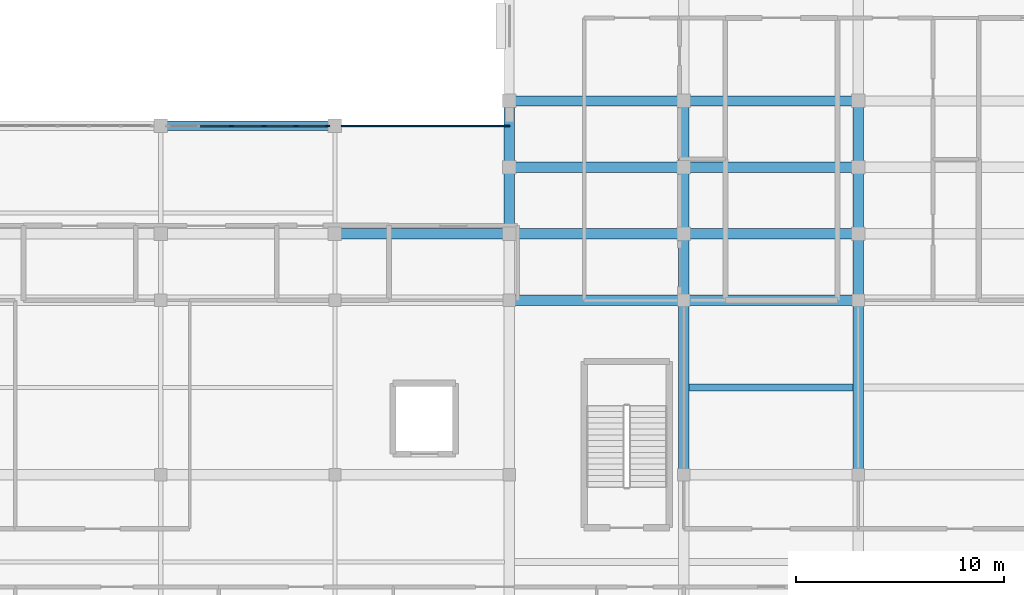
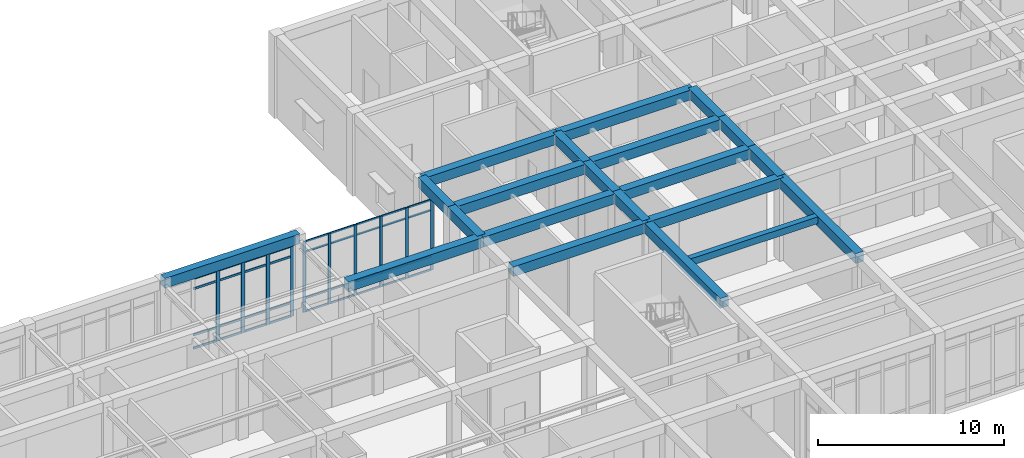
# One storey, part 30 of 89: 46 members, 21 beams, 2 elements without a shape of their own.
"""IFC4 building model written with IfcOpenShell, lengths in metres."""

import ifcopenshell
import ifcopenshell.guid

model = None  # the IFC model being written
_history = None  # IfcOwnerHistory: only IFC2X3 demands one
_inside = {}  # id of a spatial element -> (the spatial element, [elements in it])
_under = {}  # id of a project, library or spatial element -> (it, [spatial elements below it])
_declared = {}  # id of a project -> (the project, [libraries it declares])
_typed = {}  # id of a type object -> (the type object, [elements of that type])
_made_of = {}  # id of a material, layer set ... -> (it, [elements and type objects made of it])


def new_model(schema):
    """Start an empty IFC model of exactly this schema.

    Asked for "IFC4X3", IfcOpenShell would pick the latest addendum, in which some entities
    have other attributes; the version numbers below select the first issue.
    IFC2X3 requires an IfcOwnerHistory on every rooted entity: one is made here for all.
    """
    global model, _history
    if schema == "IFC4X3":
        model = ifcopenshell.file(schema_version=(4, 3, 0, 0))
    else:
        model = ifcopenshell.file(schema=schema)
    _inside.clear()
    _under.clear()
    _declared.clear()
    _typed.clear()
    _made_of.clear()
    _history = None
    if model.schema == "IFC2X3":
        org = make("IfcOrganization", Name="unknown")
        user = make(
            "IfcPersonAndOrganization",
            ThePerson=make("IfcPerson", FamilyName="unknown"),
            TheOrganization=org,
        )
        app = make(
            "IfcApplication",
            ApplicationDeveloper=org,
            Version="unknown",
            ApplicationFullName="unknown",
            ApplicationIdentifier="unknown",
        )
        _history = make(
            "IfcOwnerHistory",
            OwningUser=user,
            OwningApplication=app,
            ChangeAction="ADDED",
            CreationDate=0,
        )
    return model


def make(cls, **values):
    """One entity of the class cls with the attributes given. An attribute that is None is left unset."""
    return model.create_entity(
        cls, **{name: value for name, value in values.items() if value is not None}
    )


def rooted(cls, **values):
    """An entity with a GlobalId (a new one), such as an element, a storey or a relation."""
    return make(cls, GlobalId=ifcopenshell.guid.new(), OwnerHistory=_history, **values)


def si_unit(unit_type, name, prefix=None):
    """IfcSIUnit, for example si_unit("LENGTHUNIT", "METRE", prefix="MILLI")."""
    return make("IfcSIUnit", UnitType=unit_type, Prefix=prefix, Name=name)


def assignment(units):
    """IfcUnitAssignment: the units of a project."""
    return None if units is None else make("IfcUnitAssignment", Units=units)


def point(xyz):
    """IfcCartesianPoint."""
    return None if xyz is None else make("IfcCartesianPoint", Coordinates=xyz)


def direction(xyz):
    """IfcDirection."""
    return None if xyz is None else make("IfcDirection", DirectionRatios=xyz)


def frame(location, z_axis=None, x_axis=None):
    """IfcAxis2Placement3D, a coordinate frame: its origin and axes. An axis left out is left unset."""
    return make(
        "IfcAxis2Placement3D",
        Location=point(location),
        Axis=direction(z_axis),
        RefDirection=direction(x_axis),
    )


def frame_2d(location, x_axis=None):
    """IfcAxis2Placement2D, a coordinate frame in the plane: its origin and x axis."""
    return make(
        "IfcAxis2Placement2D", Location=point(location), RefDirection=direction(x_axis)
    )


def origin():
    """The frame at (0, 0, 0) with its axes left unset."""
    return frame((0.0, 0.0, 0.0))


def origin_2d():
    """The frame at (0, 0) in the plane with its x axis left unset."""
    return frame_2d((0.0, 0.0))


def place(relative_to, where):
    """IfcLocalPlacement: puts the frame where relative to a parent placement (None: the world)."""
    return make(
        "IfcLocalPlacement", PlacementRelTo=relative_to, RelativePlacement=where
    )


def context(
    kind, dimensions, precision=None, world=None, true_north=None, identifier=None
):
    """IfcGeometricRepresentationContext, for example the 3D "Model" context."""
    return make(
        "IfcGeometricRepresentationContext",
        ContextIdentifier=identifier,
        ContextType=kind,
        CoordinateSpaceDimension=dimensions,
        Precision=precision,
        WorldCoordinateSystem=world,
        TrueNorth=true_north,
    )


def subcontext(parent, identifier, kind, view, scale=None):
    """IfcGeometricRepresentationSubContext, for example "Body" below "Model"."""
    return make(
        "IfcGeometricRepresentationSubContext",
        ContextIdentifier=identifier,
        ContextType=kind,
        ParentContext=parent,
        TargetScale=scale,
        TargetView=view,
    )


def project(units=None, contexts=None):
    """IfcProject with its units and contexts."""
    return rooted(
        "IfcProject",
        Name="project",
        RepresentationContexts=contexts,
        UnitsInContext=assignment(units),
    )


def spatial(cls, under=None, at=None, **own):
    """A site, building, storey or space (cls), placed at a placement, below another one or the project."""
    s = rooted(cls, ObjectPlacement=at, **own)
    if under is not None:
        _under.setdefault(under.id(), (under, []))[1].append(s)
    return s


def profile(cls, at=None, kind="AREA", **sizes):
    """A parametric profile (cls). Its sizes go by their IFC names, for example OverallWidth=200.0."""
    return make(cls, ProfileType=kind, Position=at, **sizes)


def rectangle(**sizes):
    """IfcRectangleProfileDef."""
    return profile("IfcRectangleProfileDef", **sizes)


def extrude(swept, where, along, depth):
    """IfcExtrudedAreaSolid: the profile swept, set in the frame where, extruded along a direction by depth."""
    return make(
        "IfcExtrudedAreaSolid",
        SweptArea=swept,
        Position=where,
        ExtrudedDirection=direction(along),
        Depth=depth,
    )


def shape(context_of_items, identifier, shape_type, items):
    """IfcShapeRepresentation: the items that make up one representation, for example the "Body"."""
    return make(
        "IfcShapeRepresentation",
        ContextOfItems=context_of_items,
        RepresentationIdentifier=identifier,
        RepresentationType=shape_type,
        Items=items,
    )


def material(Name=None, Category=None):
    """IfcMaterial."""
    return make("IfcMaterial", Name=Name, Category=Category)


def material_profile(
    of_material, cross_section, Name=None, Category=None, Priority=None
):
    """IfcMaterialProfile: a cross section and its material."""
    return make(
        "IfcMaterialProfile",
        Name=Name,
        Material=of_material,
        Profile=cross_section,
        Priority=Priority,
        Category=Category,
    )


def profile_set(profiles, Name=None, composite=None):
    """IfcMaterialProfileSet."""
    return make(
        "IfcMaterialProfileSet",
        Name=Name,
        MaterialProfiles=profiles,
        CompositeProfile=composite,
    )


def made_of(thing, what):
    """Note that an element or type object is made of a material, layer set ...; save() writes the relation."""
    if what is not None:
        _made_of.setdefault(what.id(), (what, []))[1].append(thing)
    return thing


def type_object(cls, material=None, **own):
    """A type object (cls), such as IfcWallType, which elements share."""
    return made_of(rooted(cls, **own), material)


def element(
    cls,
    number,
    at=None,
    inside=None,
    cuts=None,
    type_object=None,
    material=None,
    context=None,
    identifier="Body",
    shape_type=None,
    held_by="IfcProductDefinitionShape",
    body=None,
    shapes=None,
    **own,
):
    """One element of the class cls, such as IfcWall. Its Tag is "e" and its number.

    at: its placement. inside: the storey or other place that contains it. cuts: it is an
    opening in that element (IfcRelVoidsElement). A single representation is given by context,
    identifier, shape_type and body (its items); several are given by shapes. held_by: the class
    of the entity that holds the representations. save() writes the other relations.
    """
    e = rooted(cls, Tag="e%d" % number, ObjectPlacement=at, **own)
    if body is not None:
        shapes = [shape(context, identifier, shape_type, body)]
    if shapes is not None:
        e.Representation = make(held_by, Representations=shapes)
    if inside is not None:
        _inside.setdefault(inside.id(), (inside, []))[1].append(e)
    if cuts is not None:
        rooted(
            "IfcRelVoidsElement", RelatingBuildingElement=cuts, RelatedOpeningElement=e
        )
    if type_object is not None:
        _typed.setdefault(type_object.id(), (type_object, []))[1].append(e)
    return made_of(e, material)


def aggregate(whole, parts):
    """IfcRelAggregates: a whole, such as a stair, and the parts it consists of."""
    return rooted("IfcRelAggregates", RelatingObject=whole, RelatedObjects=parts)


def save(model, path):
    """Write the relations noted so far, then the file.

    IfcRelAggregates (storeys below a building ...), IfcRelContainedInSpatialStructure (elements
    in a storey), IfcRelDefinesByType, IfcRelAssociatesMaterial and IfcRelDeclares: one each for
    every whole, place, type object, material and project.
    """
    for whole, parts in _under.values():
        aggregate(whole, parts)
    for where, things in _inside.values():
        rooted(
            "IfcRelContainedInSpatialStructure",
            RelatedElements=things,
            RelatingStructure=where,
        )
    for kind, things in _typed.values():
        rooted("IfcRelDefinesByType", RelatedObjects=things, RelatingType=kind)
    for what, things in _made_of.values():
        rooted("IfcRelAssociatesMaterial", RelatedObjects=things, RelatingMaterial=what)
    for by, libraries in _declared.values():
        rooted("IfcRelDeclares", RelatingContext=by, RelatedDefinitions=libraries)
    model.write(path)


model = new_model("IFC4")

# Units and contexts
model_context = context("Model", 3, precision=1e-05, world=origin(), true_north=direction((0.0, 1.0)))
body_context = subcontext(model_context, "Body", "Model", "MODEL_VIEW")
ifc_project = project(units=[si_unit("LENGTHUNIT", "METRE"), si_unit("AREAUNIT", "SQUARE_METRE"), si_unit("VOLUMEUNIT", "CUBIC_METRE"), si_unit("PLANEANGLEUNIT", "RADIAN"), si_unit("MASSUNIT", "GRAM", prefix="KILO")], contexts=[model_context])

# Site, building, storey
site_placement = place(None, origin())
site = spatial("IfcSite", under=ifc_project, at=site_placement, CompositionType="ELEMENT")
building_placement = place(site_placement, origin())
building = spatial("IfcBuilding", under=site, at=building_placement, Name="Varncliffe General Hospital", CompositionType="ELEMENT")
storey_placement = place(building_placement, frame((0.0, 0.0, 10.800048828125)))
storey = spatial("IfcBuildingStorey", under=building, at=storey_placement, Name="L02", CompositionType="ELEMENT", Elevation=10.800048828125)

# Beams
ifc_material_1 = material(Name="Concrete C35/45 (CSA A23.1 35 MPa)", Category="concrete")
ifc_material_profile_1 = material_profile(ifc_material_1, rectangle(XDim=0.5, YDim=0.64990234375, at=origin_2d()), Name="RC 500x650")
ifc_profile_set_1 = profile_set([ifc_material_profile_1], Name="Concrete C35/45 (CSA A23.1 35 MPa)")
beam_type_1 = type_object("IfcBeamType", Name="Beam B29 (Int RC 500x650)", PredefinedType="BEAM", material=ifc_profile_set_1)
beam_1_placement = place(storey_placement, frame((109.199951171875, 99.60009765625, 5.074951171875), z_axis=(1.0, 0.0, 0.0), x_axis=(0.0, 1.0, 0.0)))
element("IfcBeam", 1, at=beam_1_placement, inside=storey, type_object=beam_type_1, Name="L02 Primary Beam B29-144", PredefinedType="BEAM", context=body_context, shape_type="SweptSolid", body=[
    extrude(rectangle(XDim=0.5, YDim=0.64990234375, at=origin_2d()), origin(), (0.0, 0.0, 1.0), 8.400146484375),
])
for number, where, z_axis, x_axis, name in (
    (2, (117.60009765625, 99.60009765625, 5.074951171875), (1.0, 0.0, 0.0), (0.0, 1.0, 0.0), "L02 Primary Beam B29-145"),
    (3, (100.800048828125, 102.800048828125, 5.074951171875), (1.0, 0.0, 0.0), (0.0, 1.0, 0.0), "L02 Primary Beam B29-164"),
):
    element("IfcBeam", number, at=place(storey_placement, frame(where, z_axis=z_axis, x_axis=x_axis)), inside=storey, type_object=beam_type_1, Name=name, PredefinedType="BEAM", context=body_context, shape_type="SweptSolid", body=[
        extrude(rectangle(XDim=0.5, YDim=0.64990234375, at=origin_2d()), origin(), (0.0, 0.0, 1.0), 8.39990234375),
    ])
beam_2_placement = place(storey_placement, frame((109.199951171875, 102.800048828125, 5.074951171875), z_axis=(1.0, 0.0, 0.0), x_axis=(0.0, 1.0, 0.0)))
element("IfcBeam", 4, at=beam_2_placement, inside=storey, type_object=beam_type_1, Name="L02 Primary Beam B29-165", PredefinedType="BEAM", context=body_context, shape_type="SweptSolid", body=[
    extrude(rectangle(XDim=0.5, YDim=0.64990234375, at=origin_2d()), origin(), (0.0, 0.0, 1.0), 8.400146484375),
])
beam_3_placement = place(storey_placement, frame((117.60009765625, 102.800048828125, 5.074951171875), z_axis=(1.0, 0.0, 0.0), x_axis=(0.0, 1.0, 0.0)))
element("IfcBeam", 5, at=beam_3_placement, inside=storey, type_object=beam_type_1, Name="L02 Primary Beam B29-166", PredefinedType="BEAM", context=body_context, shape_type="SweptSolid", body=[
    extrude(rectangle(XDim=0.5, YDim=0.64990234375, at=origin_2d()), origin(), (0.0, 0.0, 1.0), 8.39990234375),
])
beam_4_placement = place(storey_placement, frame((109.199951171875, 106.0, 5.074951171875), z_axis=(1.0, 0.0, 0.0), x_axis=(0.0, 1.0, 0.0)))
element("IfcBeam", 6, at=beam_4_placement, inside=storey, type_object=beam_type_1, Name="L02 Primary Beam B29-181", PredefinedType="BEAM", context=body_context, shape_type="SweptSolid", body=[
    extrude(rectangle(XDim=0.5, YDim=0.64990234375, at=origin_2d()), origin(), (0.0, 0.0, 1.0), 8.400146484375),
])
beam_5_placement = place(storey_placement, frame((117.60009765625, 106.0, 5.074951171875), z_axis=(1.0, 0.0, 0.0), x_axis=(0.0, 1.0, 0.0)))
element("IfcBeam", 7, at=beam_5_placement, inside=storey, type_object=beam_type_1, Name="L02 Primary Beam B29-182", PredefinedType="BEAM", context=body_context, shape_type="SweptSolid", body=[
    extrude(rectangle(XDim=0.5, YDim=0.64990234375, at=origin_2d()), origin(), (0.0, 0.0, 1.0), 8.39990234375),
])
beam_6_placement = place(storey_placement, frame((109.199951171875, 109.199951171875, 5.074951171875), z_axis=(1.0, 0.0, 0.0), x_axis=(0.0, 1.0, 0.0)))
element("IfcBeam", 8, at=beam_6_placement, inside=storey, type_object=beam_type_1, Name="L02 Primary Beam B29-200", PredefinedType="BEAM", context=body_context, shape_type="SweptSolid", body=[
    extrude(rectangle(XDim=0.5, YDim=0.64990234375, at=origin_2d()), origin(), (0.0, 0.0, 1.0), 8.400146484375),
])
beam_7_placement = place(storey_placement, frame((117.60009765625, 109.199951171875, 5.074951171875), z_axis=(1.0, 0.0, 0.0), x_axis=(0.0, 1.0, 0.0)))
element("IfcBeam", 9, at=beam_7_placement, inside=storey, type_object=beam_type_1, Name="L02 Primary Beam B29-201", PredefinedType="BEAM", context=body_context, shape_type="SweptSolid", body=[
    extrude(rectangle(XDim=0.5, YDim=0.64990234375, at=origin_2d()), origin(), (0.0, 0.0, 1.0), 8.39990234375),
])
for number, where, z_axis, x_axis, name in (
    (10, (109.199951171875, 102.800048828125, 5.074951171875), (0.0, 1.0, 0.0), (-1.0, 0.0, 0.0), "L02 Primary Beam B29-380"),
    (11, (109.199951171875, 106.0, 5.074951171875), (0.0, 1.0, 0.0), (-1.0, 0.0, 0.0), "L02 Primary Beam B29-381"),
):
    element("IfcBeam", number, at=place(storey_placement, frame(where, z_axis=z_axis, x_axis=x_axis)), inside=storey, type_object=beam_type_1, Name=name, PredefinedType="BEAM", context=body_context, shape_type="SweptSolid", body=[
        extrude(rectangle(XDim=0.5, YDim=0.64990234375, at=origin_2d()), origin(), (0.0, 0.0, 1.0), 3.199951171875),
    ])
beam_8_placement = place(storey_placement, frame((117.60009765625, 91.199951171875, 5.074951171875), z_axis=(0.0, 1.0, 0.0), x_axis=(-1.0, 0.0, 0.0)))
element("IfcBeam", 12, at=beam_8_placement, inside=storey, type_object=beam_type_1, Name="L02 Primary Beam B29-396", PredefinedType="BEAM", context=body_context, shape_type="SweptSolid", body=[
    extrude(rectangle(XDim=0.5, YDim=0.64990234375, at=origin_2d()), origin(), (0.0, 0.0, 1.0), 8.400146484375),
])
for number, where, z_axis, x_axis, name in (
    (13, (117.60009765625, 99.60009765625, 5.074951171875), (0.0, 1.0, 0.0), (-1.0, 0.0, 0.0), "L02 Primary Beam B29-397"),
    (14, (117.60009765625, 102.800048828125, 5.074951171875), (0.0, 1.0, 0.0), (-1.0, 0.0, 0.0), "L02 Primary Beam B29-398"),
    (15, (117.60009765625, 106.0, 5.074951171875), (0.0, 1.0, 0.0), (-1.0, 0.0, 0.0), "L02 Primary Beam B29-399"),
):
    element("IfcBeam", number, at=place(storey_placement, frame(where, z_axis=z_axis, x_axis=x_axis)), inside=storey, type_object=beam_type_1, Name=name, PredefinedType="BEAM", context=body_context, shape_type="SweptSolid", body=[
        extrude(rectangle(XDim=0.5, YDim=0.64990234375, at=origin_2d()), origin(), (0.0, 0.0, 1.0), 3.199951171875),
    ])
beam_9_placement = place(storey_placement, frame((126.0, 91.199951171875, 5.074951171875), z_axis=(0.0, 1.0, 0.0), x_axis=(-1.0, 0.0, 0.0)))
element("IfcBeam", 16, at=beam_9_placement, inside=storey, type_object=beam_type_1, Name="L02 Primary Beam B29-405", PredefinedType="BEAM", context=body_context, shape_type="SweptSolid", body=[
    extrude(rectangle(XDim=0.5, YDim=0.64990234375, at=origin_2d()), origin(), (0.0, 0.0, 1.0), 8.400146484375),
])
for number, where, z_axis, x_axis, name in (
    (17, (126.0, 99.60009765625, 5.074951171875), (0.0, 1.0, 0.0), (-1.0, 0.0, 0.0), "L02 Primary Beam B29-406"),
    (18, (126.0, 102.800048828125, 5.074951171875), (0.0, 1.0, 0.0), (-1.0, 0.0, 0.0), "L02 Primary Beam B29-407"),
    (19, (126.0, 106.0, 5.074951171875), (0.0, 1.0, 0.0), (-1.0, 0.0, 0.0), "L02 Primary Beam B29-408"),
):
    element("IfcBeam", number, at=place(storey_placement, frame(where, z_axis=z_axis, x_axis=x_axis)), inside=storey, type_object=beam_type_1, Name=name, PredefinedType="BEAM", context=body_context, shape_type="SweptSolid", body=[
        extrude(rectangle(XDim=0.5, YDim=0.64990234375, at=origin_2d()), origin(), (0.0, 0.0, 1.0), 3.199951171875),
    ])

# Curtain wall, members
ifc_material_2 = material(Name="Triple low-E argon insulated vision glazing", Category="glass")
curtain_wall_type_1 = type_object("IfcCurtainWallType", Name="Unitised Glazed Curtain Wall CW65 (7997x4640)", PredefinedType="USERDEFINED", material=ifc_material_2)
curtain_wall_1_placement = place(storey_placement, origin())
curtain_wall_1 = element("IfcCurtainWall", 20, at=curtain_wall_1_placement, inside=storey, type_object=curtain_wall_type_1, Name="L02 Glazed Curtain Wall CW65-115", ObjectType="GLAZED CURTAIN WALL", PredefinedType="USERDEFINED")
ifc_material_3 = material(Name="Dark bronze thermally broken aluminium framing", Category="aluminium")
ifc_material_profile_2 = material_profile(ifc_material_3, rectangle(XDim=0.074951171875, YDim=0.179931640625, at=origin_2d()), Name="ALU 75x180")
ifc_profile_set_2 = profile_set([ifc_material_profile_2], Name="Dark bronze thermally broken aluminium framing")
member_type_1 = type_object("IfcMemberType", Name="Curtain Wall Mullion CM44 (ALU 75x180)", PredefinedType="MULLION", material=ifc_profile_set_2)
member_1_placement = place(storey_placement, frame((101.200439453125, 108.0, 0.0), z_axis=(0.0, 0.0, 1.0), x_axis=(0.0, 1.0, 0.0)))
member_1 = element("IfcMember", 21, at=member_1_placement, type_object=member_type_1, Name="CW65 mullion 1", PredefinedType="MULLION", context=body_context, shape_type="SweptSolid", body=[
    extrude(rectangle(XDim=0.074951171875, YDim=0.179931640625, at=origin_2d()), origin(), (0.0, 0.0, 1.0), 4.639892578125),
])
member_2_placement = place(storey_placement, frame((102.762451171875, 108.0, 0.0), z_axis=(0.0, 0.0, 1.0), x_axis=(0.0, 1.0, 0.0)))
member_2 = element("IfcMember", 22, at=member_2_placement, type_object=member_type_1, Name="CW65 mullion 2", PredefinedType="MULLION", context=body_context, shape_type="SweptSolid", body=[
    extrude(rectangle(XDim=0.074951171875, YDim=0.179931640625, at=origin_2d()), origin(), (0.0, 0.0, 1.0), 4.639892578125),
])
member_3_placement = place(storey_placement, frame((104.36181640625, 108.0, 0.0), z_axis=(0.0, 0.0, 1.0), x_axis=(0.0, 1.0, 0.0)))
member_3 = element("IfcMember", 23, at=member_3_placement, type_object=member_type_1, Name="CW65 mullion 3", PredefinedType="MULLION", context=body_context, shape_type="SweptSolid", body=[
    extrude(rectangle(XDim=0.074951171875, YDim=0.179931640625, at=origin_2d()), origin(), (0.0, 0.0, 1.0), 4.639892578125),
])
member_4_placement = place(storey_placement, frame((105.961181640625, 108.0, 0.0), z_axis=(0.0, 0.0, 1.0), x_axis=(0.0, 1.0, 0.0)))
member_4 = element("IfcMember", 24, at=member_4_placement, type_object=member_type_1, Name="CW65 mullion 4", PredefinedType="MULLION", context=body_context, shape_type="SweptSolid", body=[
    extrude(rectangle(XDim=0.074951171875, YDim=0.179931640625, at=origin_2d()), origin(), (0.0, 0.0, 1.0), 4.639892578125),
])
member_5_placement = place(storey_placement, frame((107.560546875, 108.0, 0.0), z_axis=(0.0, 0.0, 1.0), x_axis=(0.0, 1.0, 0.0)))
member_5 = element("IfcMember", 25, at=member_5_placement, type_object=member_type_1, Name="CW65 mullion 5", PredefinedType="MULLION", context=body_context, shape_type="SweptSolid", body=[
    extrude(rectangle(XDim=0.074951171875, YDim=0.179931640625, at=origin_2d()), origin(), (0.0, 0.0, 1.0), 4.639892578125),
])
member_6_placement = place(storey_placement, frame((109.12255859375, 108.0, 0.0), z_axis=(0.0, 0.0, 1.0), x_axis=(0.0, 1.0, 0.0)))
member_6 = element("IfcMember", 26, at=member_6_placement, type_object=member_type_1, Name="CW65 mullion 6", PredefinedType="MULLION", context=body_context, shape_type="SweptSolid", body=[
    extrude(rectangle(XDim=0.074951171875, YDim=0.179931640625, at=origin_2d()), origin(), (0.0, 0.0, 1.0), 4.639892578125),
])

curtain_wall_type_2 = type_object("IfcCurtainWallType", Name="Unitised Glazed Curtain Wall CW66 (7754x4640)", PredefinedType="USERDEFINED", material=ifc_material_2)
curtain_wall_2_placement = place(storey_placement, origin())
curtain_wall_2 = element("IfcCurtainWall", 27, at=curtain_wall_2_placement, inside=storey, type_object=curtain_wall_type_2, Name="L02 Glazed Curtain Wall CW66-114", ObjectType="GLAZED CURTAIN WALL", PredefinedType="USERDEFINED")
ifc_material_profile_3 = material_profile(ifc_material_3, rectangle(XDim=0.074951171875, YDim=0.219970703125, at=origin_2d()), Name="ALU 75x220")
ifc_profile_set_3 = profile_set([ifc_material_profile_3], Name="Dark bronze thermally broken aluminium framing")
member_type_2 = type_object("IfcMemberType", Name="Curtain Wall Mullion CM74 (ALU 75x220)", PredefinedType="MULLION", material=ifc_profile_set_3)
member_7_placement = place(storey_placement, frame((95.82470703125, 108.0, 0.0), z_axis=(0.0, 0.0, 1.0), x_axis=(0.0, 1.0, 0.0)))
member_7 = element("IfcMember", 28, at=member_7_placement, type_object=member_type_2, Name="CW66 mullion 3", PredefinedType="MULLION", context=body_context, shape_type="SweptSolid", body=[
    extrude(rectangle(XDim=0.074951171875, YDim=0.219970703125, at=origin_2d()), origin(), (0.0, 0.0, 1.0), 4.639892578125),
])
member_8_placement = place(storey_placement, frame((97.37548828125, 108.0, 0.0), z_axis=(0.0, 0.0, 1.0), x_axis=(0.0, 1.0, 0.0)))
member_8 = element("IfcMember", 29, at=member_8_placement, type_object=member_type_2, Name="CW66 mullion 4", PredefinedType="MULLION", context=body_context, shape_type="SweptSolid", body=[
    extrude(rectangle(XDim=0.074951171875, YDim=0.219970703125, at=origin_2d()), origin(), (0.0, 0.0, 1.0), 4.639892578125),
])
member_9_placement = place(storey_placement, frame((98.92626953125, 108.0, 0.0), z_axis=(0.0, 0.0, 1.0), x_axis=(0.0, 1.0, 0.0)))
member_9 = element("IfcMember", 30, at=member_9_placement, type_object=member_type_2, Name="CW66 mullion 5", PredefinedType="MULLION", context=body_context, shape_type="SweptSolid", body=[
    extrude(rectangle(XDim=0.074951171875, YDim=0.219970703125, at=origin_2d()), origin(), (0.0, 0.0, 1.0), 4.639892578125),
])
member_10_placement = place(storey_placement, frame((100.439453125, 108.0, 0.0), z_axis=(0.0, 0.0, 1.0), x_axis=(0.0, 1.0, 0.0)))
member_10 = element("IfcMember", 31, at=member_10_placement, type_object=member_type_2, Name="CW66 mullion 6", PredefinedType="MULLION", context=body_context, shape_type="SweptSolid", body=[
    extrude(rectangle(XDim=0.074951171875, YDim=0.219970703125, at=origin_2d()), origin(), (0.0, 0.0, 1.0), 4.639892578125),
])

# Member
ifc_material_profile_4 = material_profile(ifc_material_3, rectangle(XDim=0.06005859375, YDim=0.1201171875, at=origin_2d()), Name="ALU 60x120")
ifc_profile_set_4 = profile_set([ifc_material_profile_4], Name="Dark bronze thermally broken aluminium framing")
member_type_3 = type_object("IfcMemberType", Name="Curtain Wall Transom CT14 (ALU 60x120)", PredefinedType="USERDEFINED", material=ifc_profile_set_4)
member_11_placement = place(storey_placement, frame((101.238037109375, 108.0, 0.030029296875), z_axis=(1.0, 0.0, 0.0), x_axis=(0.0, 1.0, 0.0)))
member_11 = element("IfcMember", 32, at=member_11_placement, type_object=member_type_3, Name="CW65 transom 1.1", ObjectType="TRANSOM", PredefinedType="USERDEFINED", context=body_context, shape_type="SweptSolid", body=[
    extrude(rectangle(XDim=0.06005859375, YDim=0.1201171875, at=origin_2d()), origin(), (0.0, 0.0, 1.0), 1.48681640625),
])

member_12_placement = place(storey_placement, frame((101.238037109375, 108.0, 0.89990234375), z_axis=(1.0, 0.0, 0.0), x_axis=(0.0, 1.0, 0.0)))
member_12 = element("IfcMember", 33, at=member_12_placement, type_object=member_type_3, Name="CW65 transom 1.2", ObjectType="TRANSOM", PredefinedType="USERDEFINED", context=body_context, shape_type="SweptSolid", body=[
    extrude(rectangle(XDim=0.06005859375, YDim=0.1201171875, at=origin_2d()), origin(), (0.0, 0.0, 1.0), 1.48681640625),
])

member_13_placement = place(storey_placement, frame((101.238037109375, 108.0, 3.93994140625), z_axis=(1.0, 0.0, 0.0), x_axis=(0.0, 1.0, 0.0)))
member_13 = element("IfcMember", 34, at=member_13_placement, type_object=member_type_3, Name="CW65 transom 1.3", ObjectType="TRANSOM", PredefinedType="USERDEFINED", context=body_context, shape_type="SweptSolid", body=[
    extrude(rectangle(XDim=0.06005859375, YDim=0.1201171875, at=origin_2d()), origin(), (0.0, 0.0, 1.0), 1.48681640625),
])

member_14_placement = place(storey_placement, frame((101.238037109375, 108.0, 4.60986328125), z_axis=(1.0, 0.0, 0.0), x_axis=(0.0, 1.0, 0.0)))
member_14 = element("IfcMember", 35, at=member_14_placement, type_object=member_type_3, Name="CW65 transom 1.4", ObjectType="TRANSOM", PredefinedType="USERDEFINED", context=body_context, shape_type="SweptSolid", body=[
    extrude(rectangle(XDim=0.06005859375, YDim=0.1201171875, at=origin_2d()), origin(), (0.0, 0.0, 1.0), 1.48681640625),
])

member_15_placement = place(storey_placement, frame((102.7998046875, 108.0, 0.030029296875), z_axis=(1.0, 0.0, 0.0), x_axis=(0.0, 1.0, 0.0)))
member_15 = element("IfcMember", 36, at=member_15_placement, type_object=member_type_3, Name="CW65 transom 2.1", ObjectType="TRANSOM", PredefinedType="USERDEFINED", context=body_context, shape_type="SweptSolid", body=[
    extrude(rectangle(XDim=0.06005859375, YDim=0.1201171875, at=origin_2d()), origin(), (0.0, 0.0, 1.0), 1.5244140625),
])

member_16_placement = place(storey_placement, frame((102.7998046875, 108.0, 0.89990234375), z_axis=(1.0, 0.0, 0.0), x_axis=(0.0, 1.0, 0.0)))
member_16 = element("IfcMember", 37, at=member_16_placement, type_object=member_type_3, Name="CW65 transom 2.2", ObjectType="TRANSOM", PredefinedType="USERDEFINED", context=body_context, shape_type="SweptSolid", body=[
    extrude(rectangle(XDim=0.06005859375, YDim=0.1201171875, at=origin_2d()), origin(), (0.0, 0.0, 1.0), 1.5244140625),
])

member_17_placement = place(storey_placement, frame((102.7998046875, 108.0, 3.93994140625), z_axis=(1.0, 0.0, 0.0), x_axis=(0.0, 1.0, 0.0)))
member_17 = element("IfcMember", 38, at=member_17_placement, type_object=member_type_3, Name="CW65 transom 2.3", ObjectType="TRANSOM", PredefinedType="USERDEFINED", context=body_context, shape_type="SweptSolid", body=[
    extrude(rectangle(XDim=0.06005859375, YDim=0.1201171875, at=origin_2d()), origin(), (0.0, 0.0, 1.0), 1.5244140625),
])

member_18_placement = place(storey_placement, frame((102.7998046875, 108.0, 4.60986328125), z_axis=(1.0, 0.0, 0.0), x_axis=(0.0, 1.0, 0.0)))
member_18 = element("IfcMember", 39, at=member_18_placement, type_object=member_type_3, Name="CW65 transom 2.4", ObjectType="TRANSOM", PredefinedType="USERDEFINED", context=body_context, shape_type="SweptSolid", body=[
    extrude(rectangle(XDim=0.06005859375, YDim=0.1201171875, at=origin_2d()), origin(), (0.0, 0.0, 1.0), 1.5244140625),
])

member_19_placement = place(storey_placement, frame((104.3994140625, 108.0, 0.030029296875), z_axis=(1.0, 0.0, 0.0), x_axis=(0.0, 1.0, 0.0)))
member_19 = element("IfcMember", 40, at=member_19_placement, type_object=member_type_3, Name="CW65 transom 3.1", ObjectType="TRANSOM", PredefinedType="USERDEFINED", context=body_context, shape_type="SweptSolid", body=[
    extrude(rectangle(XDim=0.06005859375, YDim=0.1201171875, at=origin_2d()), origin(), (0.0, 0.0, 1.0), 1.524169921875),
])

member_20_placement = place(storey_placement, frame((104.3994140625, 108.0, 0.89990234375), z_axis=(1.0, 0.0, 0.0), x_axis=(0.0, 1.0, 0.0)))
member_20 = element("IfcMember", 41, at=member_20_placement, type_object=member_type_3, Name="CW65 transom 3.2", ObjectType="TRANSOM", PredefinedType="USERDEFINED", context=body_context, shape_type="SweptSolid", body=[
    extrude(rectangle(XDim=0.06005859375, YDim=0.1201171875, at=origin_2d()), origin(), (0.0, 0.0, 1.0), 1.524169921875),
])

member_21_placement = place(storey_placement, frame((104.3994140625, 108.0, 3.93994140625), z_axis=(1.0, 0.0, 0.0), x_axis=(0.0, 1.0, 0.0)))
member_21 = element("IfcMember", 42, at=member_21_placement, type_object=member_type_3, Name="CW65 transom 3.3", ObjectType="TRANSOM", PredefinedType="USERDEFINED", context=body_context, shape_type="SweptSolid", body=[
    extrude(rectangle(XDim=0.06005859375, YDim=0.1201171875, at=origin_2d()), origin(), (0.0, 0.0, 1.0), 1.524169921875),
])

member_22_placement = place(storey_placement, frame((104.3994140625, 108.0, 4.60986328125), z_axis=(1.0, 0.0, 0.0), x_axis=(0.0, 1.0, 0.0)))
member_22 = element("IfcMember", 43, at=member_22_placement, type_object=member_type_3, Name="CW65 transom 3.4", ObjectType="TRANSOM", PredefinedType="USERDEFINED", context=body_context, shape_type="SweptSolid", body=[
    extrude(rectangle(XDim=0.06005859375, YDim=0.1201171875, at=origin_2d()), origin(), (0.0, 0.0, 1.0), 1.524169921875),
])

member_23_placement = place(storey_placement, frame((105.998779296875, 108.0, 0.030029296875), z_axis=(1.0, 0.0, 0.0), x_axis=(0.0, 1.0, 0.0)))
member_23 = element("IfcMember", 44, at=member_23_placement, type_object=member_type_3, Name="CW65 transom 4.1", ObjectType="TRANSOM", PredefinedType="USERDEFINED", context=body_context, shape_type="SweptSolid", body=[
    extrude(rectangle(XDim=0.06005859375, YDim=0.1201171875, at=origin_2d()), origin(), (0.0, 0.0, 1.0), 1.5244140625),
])

member_24_placement = place(storey_placement, frame((105.998779296875, 108.0, 0.89990234375), z_axis=(1.0, 0.0, 0.0), x_axis=(0.0, 1.0, 0.0)))
member_24 = element("IfcMember", 45, at=member_24_placement, type_object=member_type_3, Name="CW65 transom 4.2", ObjectType="TRANSOM", PredefinedType="USERDEFINED", context=body_context, shape_type="SweptSolid", body=[
    extrude(rectangle(XDim=0.06005859375, YDim=0.1201171875, at=origin_2d()), origin(), (0.0, 0.0, 1.0), 1.5244140625),
])

member_25_placement = place(storey_placement, frame((105.998779296875, 108.0, 3.93994140625), z_axis=(1.0, 0.0, 0.0), x_axis=(0.0, 1.0, 0.0)))
member_25 = element("IfcMember", 46, at=member_25_placement, type_object=member_type_3, Name="CW65 transom 4.3", ObjectType="TRANSOM", PredefinedType="USERDEFINED", context=body_context, shape_type="SweptSolid", body=[
    extrude(rectangle(XDim=0.06005859375, YDim=0.1201171875, at=origin_2d()), origin(), (0.0, 0.0, 1.0), 1.5244140625),
])

member_26_placement = place(storey_placement, frame((105.998779296875, 108.0, 4.60986328125), z_axis=(1.0, 0.0, 0.0), x_axis=(0.0, 1.0, 0.0)))
member_26 = element("IfcMember", 47, at=member_26_placement, type_object=member_type_3, Name="CW65 transom 4.4", ObjectType="TRANSOM", PredefinedType="USERDEFINED", context=body_context, shape_type="SweptSolid", body=[
    extrude(rectangle(XDim=0.06005859375, YDim=0.1201171875, at=origin_2d()), origin(), (0.0, 0.0, 1.0), 1.5244140625),
])

member_27_placement = place(storey_placement, frame((107.59814453125, 108.0, 0.030029296875), z_axis=(1.0, 0.0, 0.0), x_axis=(0.0, 1.0, 0.0)))
member_27 = element("IfcMember", 48, at=member_27_placement, type_object=member_type_3, Name="CW65 transom 5.1", ObjectType="TRANSOM", PredefinedType="USERDEFINED", context=body_context, shape_type="SweptSolid", body=[
    extrude(rectangle(XDim=0.06005859375, YDim=0.1201171875, at=origin_2d()), origin(), (0.0, 0.0, 1.0), 1.48681640625),
])

member_28_placement = place(storey_placement, frame((107.59814453125, 108.0, 0.89990234375), z_axis=(1.0, 0.0, 0.0), x_axis=(0.0, 1.0, 0.0)))
member_28 = element("IfcMember", 49, at=member_28_placement, type_object=member_type_3, Name="CW65 transom 5.2", ObjectType="TRANSOM", PredefinedType="USERDEFINED", context=body_context, shape_type="SweptSolid", body=[
    extrude(rectangle(XDim=0.06005859375, YDim=0.1201171875, at=origin_2d()), origin(), (0.0, 0.0, 1.0), 1.48681640625),
])

member_29_placement = place(storey_placement, frame((107.59814453125, 108.0, 3.93994140625), z_axis=(1.0, 0.0, 0.0), x_axis=(0.0, 1.0, 0.0)))
member_29 = element("IfcMember", 50, at=member_29_placement, type_object=member_type_3, Name="CW65 transom 5.3", ObjectType="TRANSOM", PredefinedType="USERDEFINED", context=body_context, shape_type="SweptSolid", body=[
    extrude(rectangle(XDim=0.06005859375, YDim=0.1201171875, at=origin_2d()), origin(), (0.0, 0.0, 1.0), 1.48681640625),
])

member_30_placement = place(storey_placement, frame((107.59814453125, 108.0, 4.60986328125), z_axis=(1.0, 0.0, 0.0), x_axis=(0.0, 1.0, 0.0)))
member_30 = element("IfcMember", 51, at=member_30_placement, type_object=member_type_3, Name="CW65 transom 5.4", ObjectType="TRANSOM", PredefinedType="USERDEFINED", context=body_context, shape_type="SweptSolid", body=[
    extrude(rectangle(XDim=0.06005859375, YDim=0.1201171875, at=origin_2d()), origin(), (0.0, 0.0, 1.0), 1.48681640625),
])

aggregate(curtain_wall_1, [member_1, member_2, member_3, member_4, member_5, member_6, member_11, member_12, member_13, member_14, member_15, member_16, member_17, member_18, member_19, member_20, member_21, member_22, member_23, member_24, member_25, member_26, member_27, member_28, member_29, member_30])

ifc_material_profile_5 = material_profile(ifc_material_3, rectangle(XDim=0.06494140625, YDim=0.139892578125, at=origin_2d()), Name="ALU 65x140")
ifc_profile_set_5 = profile_set([ifc_material_profile_5], Name="Dark bronze thermally broken aluminium framing")
member_type_4 = type_object("IfcMemberType", Name="Curtain Wall Transom CT69 (ALU 65x140)", PredefinedType="USERDEFINED", material=ifc_profile_set_5)
member_31_placement = place(storey_placement, frame((94.311279296875, 108.0, 0.032470703125), z_axis=(1.0, 0.0, 0.0), x_axis=(0.0, 1.0, 0.0)))
member_31 = element("IfcMember", 52, at=member_31_placement, type_object=member_type_4, Name="CW66 transom 2.1", ObjectType="TRANSOM", PredefinedType="USERDEFINED", context=body_context, shape_type="SweptSolid", body=[
    extrude(rectangle(XDim=0.06494140625, YDim=0.139892578125, at=origin_2d()), origin(), (0.0, 0.0, 1.0), 1.475830078125),
])

member_32_placement = place(storey_placement, frame((94.311279296875, 108.0, 0.89990234375), z_axis=(1.0, 0.0, 0.0), x_axis=(0.0, 1.0, 0.0)))
member_32 = element("IfcMember", 53, at=member_32_placement, type_object=member_type_4, Name="CW66 transom 2.2", ObjectType="TRANSOM", PredefinedType="USERDEFINED", context=body_context, shape_type="SweptSolid", body=[
    extrude(rectangle(XDim=0.06494140625, YDim=0.139892578125, at=origin_2d()), origin(), (0.0, 0.0, 1.0), 1.475830078125),
])

member_33_placement = place(storey_placement, frame((94.311279296875, 108.0, 3.93994140625), z_axis=(1.0, 0.0, 0.0), x_axis=(0.0, 1.0, 0.0)))
member_33 = element("IfcMember", 54, at=member_33_placement, type_object=member_type_4, Name="CW66 transom 2.3", ObjectType="TRANSOM", PredefinedType="USERDEFINED", context=body_context, shape_type="SweptSolid", body=[
    extrude(rectangle(XDim=0.06494140625, YDim=0.139892578125, at=origin_2d()), origin(), (0.0, 0.0, 1.0), 1.475830078125),
])

member_34_placement = place(storey_placement, frame((94.311279296875, 108.0, 4.607421875), z_axis=(1.0, 0.0, 0.0), x_axis=(0.0, 1.0, 0.0)))
member_34 = element("IfcMember", 55, at=member_34_placement, type_object=member_type_4, Name="CW66 transom 2.4", ObjectType="TRANSOM", PredefinedType="USERDEFINED", context=body_context, shape_type="SweptSolid", body=[
    extrude(rectangle(XDim=0.06494140625, YDim=0.139892578125, at=origin_2d()), origin(), (0.0, 0.0, 1.0), 1.475830078125),
])

member_35_placement = place(storey_placement, frame((95.862060546875, 108.0, 0.032470703125), z_axis=(1.0, 0.0, 0.0), x_axis=(0.0, 1.0, 0.0)))
member_35 = element("IfcMember", 56, at=member_35_placement, type_object=member_type_4, Name="CW66 transom 3.1", ObjectType="TRANSOM", PredefinedType="USERDEFINED", context=body_context, shape_type="SweptSolid", body=[
    extrude(rectangle(XDim=0.06494140625, YDim=0.139892578125, at=origin_2d()), origin(), (0.0, 0.0, 1.0), 1.475830078125),
])

member_36_placement = place(storey_placement, frame((95.862060546875, 108.0, 0.89990234375), z_axis=(1.0, 0.0, 0.0), x_axis=(0.0, 1.0, 0.0)))
member_36 = element("IfcMember", 57, at=member_36_placement, type_object=member_type_4, Name="CW66 transom 3.2", ObjectType="TRANSOM", PredefinedType="USERDEFINED", context=body_context, shape_type="SweptSolid", body=[
    extrude(rectangle(XDim=0.06494140625, YDim=0.139892578125, at=origin_2d()), origin(), (0.0, 0.0, 1.0), 1.475830078125),
])

member_37_placement = place(storey_placement, frame((95.862060546875, 108.0, 3.93994140625), z_axis=(1.0, 0.0, 0.0), x_axis=(0.0, 1.0, 0.0)))
member_37 = element("IfcMember", 58, at=member_37_placement, type_object=member_type_4, Name="CW66 transom 3.3", ObjectType="TRANSOM", PredefinedType="USERDEFINED", context=body_context, shape_type="SweptSolid", body=[
    extrude(rectangle(XDim=0.06494140625, YDim=0.139892578125, at=origin_2d()), origin(), (0.0, 0.0, 1.0), 1.475830078125),
])

member_38_placement = place(storey_placement, frame((95.862060546875, 108.0, 4.607421875), z_axis=(1.0, 0.0, 0.0), x_axis=(0.0, 1.0, 0.0)))
member_38 = element("IfcMember", 59, at=member_38_placement, type_object=member_type_4, Name="CW66 transom 3.4", ObjectType="TRANSOM", PredefinedType="USERDEFINED", context=body_context, shape_type="SweptSolid", body=[
    extrude(rectangle(XDim=0.06494140625, YDim=0.139892578125, at=origin_2d()), origin(), (0.0, 0.0, 1.0), 1.475830078125),
])

member_39_placement = place(storey_placement, frame((97.412841796875, 108.0, 0.032470703125), z_axis=(1.0, 0.0, 0.0), x_axis=(0.0, 1.0, 0.0)))
member_39 = element("IfcMember", 60, at=member_39_placement, type_object=member_type_4, Name="CW66 transom 4.1", ObjectType="TRANSOM", PredefinedType="USERDEFINED", context=body_context, shape_type="SweptSolid", body=[
    extrude(rectangle(XDim=0.06494140625, YDim=0.139892578125, at=origin_2d()), origin(), (0.0, 0.0, 1.0), 1.475830078125),
])

member_40_placement = place(storey_placement, frame((97.412841796875, 108.0, 0.89990234375), z_axis=(1.0, 0.0, 0.0), x_axis=(0.0, 1.0, 0.0)))
member_40 = element("IfcMember", 61, at=member_40_placement, type_object=member_type_4, Name="CW66 transom 4.2", ObjectType="TRANSOM", PredefinedType="USERDEFINED", context=body_context, shape_type="SweptSolid", body=[
    extrude(rectangle(XDim=0.06494140625, YDim=0.139892578125, at=origin_2d()), origin(), (0.0, 0.0, 1.0), 1.475830078125),
])

member_41_placement = place(storey_placement, frame((97.412841796875, 108.0, 3.93994140625), z_axis=(1.0, 0.0, 0.0), x_axis=(0.0, 1.0, 0.0)))
member_41 = element("IfcMember", 62, at=member_41_placement, type_object=member_type_4, Name="CW66 transom 4.3", ObjectType="TRANSOM", PredefinedType="USERDEFINED", context=body_context, shape_type="SweptSolid", body=[
    extrude(rectangle(XDim=0.06494140625, YDim=0.139892578125, at=origin_2d()), origin(), (0.0, 0.0, 1.0), 1.475830078125),
])

member_42_placement = place(storey_placement, frame((97.412841796875, 108.0, 4.607421875), z_axis=(1.0, 0.0, 0.0), x_axis=(0.0, 1.0, 0.0)))
member_42 = element("IfcMember", 63, at=member_42_placement, type_object=member_type_4, Name="CW66 transom 4.4", ObjectType="TRANSOM", PredefinedType="USERDEFINED", context=body_context, shape_type="SweptSolid", body=[
    extrude(rectangle(XDim=0.06494140625, YDim=0.139892578125, at=origin_2d()), origin(), (0.0, 0.0, 1.0), 1.475830078125),
])

member_43_placement = place(storey_placement, frame((98.963623046875, 108.0, 0.032470703125), z_axis=(1.0, 0.0, 0.0), x_axis=(0.0, 1.0, 0.0)))
member_43 = element("IfcMember", 64, at=member_43_placement, type_object=member_type_4, Name="CW66 transom 5.1", ObjectType="TRANSOM", PredefinedType="USERDEFINED", context=body_context, shape_type="SweptSolid", body=[
    extrude(rectangle(XDim=0.06494140625, YDim=0.139892578125, at=origin_2d()), origin(), (0.0, 0.0, 1.0), 1.4384765625),
])

member_44_placement = place(storey_placement, frame((98.963623046875, 108.0, 0.89990234375), z_axis=(1.0, 0.0, 0.0), x_axis=(0.0, 1.0, 0.0)))
member_44 = element("IfcMember", 65, at=member_44_placement, type_object=member_type_4, Name="CW66 transom 5.2", ObjectType="TRANSOM", PredefinedType="USERDEFINED", context=body_context, shape_type="SweptSolid", body=[
    extrude(rectangle(XDim=0.06494140625, YDim=0.139892578125, at=origin_2d()), origin(), (0.0, 0.0, 1.0), 1.4384765625),
])

member_45_placement = place(storey_placement, frame((98.963623046875, 108.0, 3.93994140625), z_axis=(1.0, 0.0, 0.0), x_axis=(0.0, 1.0, 0.0)))
member_45 = element("IfcMember", 66, at=member_45_placement, type_object=member_type_4, Name="CW66 transom 5.3", ObjectType="TRANSOM", PredefinedType="USERDEFINED", context=body_context, shape_type="SweptSolid", body=[
    extrude(rectangle(XDim=0.06494140625, YDim=0.139892578125, at=origin_2d()), origin(), (0.0, 0.0, 1.0), 1.4384765625),
])

member_46_placement = place(storey_placement, frame((98.963623046875, 108.0, 4.607421875), z_axis=(1.0, 0.0, 0.0), x_axis=(0.0, 1.0, 0.0)))
member_46 = element("IfcMember", 67, at=member_46_placement, type_object=member_type_4, Name="CW66 transom 5.4", ObjectType="TRANSOM", PredefinedType="USERDEFINED", context=body_context, shape_type="SweptSolid", body=[
    extrude(rectangle(XDim=0.06494140625, YDim=0.139892578125, at=origin_2d()), origin(), (0.0, 0.0, 1.0), 1.4384765625),
])

aggregate(curtain_wall_2, [member_7, member_8, member_9, member_10, member_31, member_32, member_33, member_34, member_35, member_36, member_37, member_38, member_39, member_40, member_41, member_42, member_43, member_44, member_45, member_46])

# Beams
ifc_material_profile_6 = material_profile(ifc_material_1, rectangle(XDim=0.35009765625, YDim=0.449951171875, at=origin_2d()), Name="RC 350x450")
ifc_profile_set_6 = profile_set([ifc_material_profile_6], Name="Concrete C35/45 (CSA A23.1 35 MPa)")
beam_type_2 = type_object("IfcBeamType", Name="Joist J55 (Int RC 350x450)", PredefinedType="JOIST", material=ifc_profile_set_6)
beam_10_placement = place(storey_placement, frame((117.847900390625, 95.39990234375, 5.175048828125), z_axis=(1.0, 0.0, 0.0), x_axis=(0.0, 1.0, 0.0)))
element("IfcBeam", 68, at=beam_10_placement, inside=storey, type_object=beam_type_2, Name="L02 Secondary Floor Rib J55-48", PredefinedType="JOIST", context=body_context, shape_type="SweptSolid", body=[
    extrude(rectangle(XDim=0.35009765625, YDim=0.449951171875, at=origin_2d()), origin(), (0.0, 0.0, 1.0), 7.904052734375),
])
ifc_material_profile_7 = material_profile(ifc_material_1, rectangle(XDim=0.449951171875, YDim=0.64990234375, at=origin_2d()), Name="RC 450x650")
ifc_profile_set_7 = profile_set([ifc_material_profile_7], Name="Concrete C35/45 (CSA A23.1 35 MPa)")
beam_type_3 = type_object("IfcBeamType", Name="Spandrel SP38 (Ext RC 450x650B)", PredefinedType="SPANDREL", material=ifc_profile_set_7)
beam_11_placement = place(storey_placement, frame((92.39990234375, 108.0, 5.074951171875), z_axis=(1.0, 0.0, 0.0), x_axis=(0.0, 1.0, 0.0)))
element("IfcBeam", 69, at=beam_11_placement, inside=storey, type_object=beam_type_3, Name="L02 Spandrel Beam SP38-191", PredefinedType="SPANDREL", context=body_context, shape_type="SweptSolid", body=[
    extrude(rectangle(XDim=0.449951171875, YDim=0.64990234375, at=origin_2d()), origin(), (0.0, 0.0, 1.0), 8.400146484375),
])

save(model, "model.ifc")
